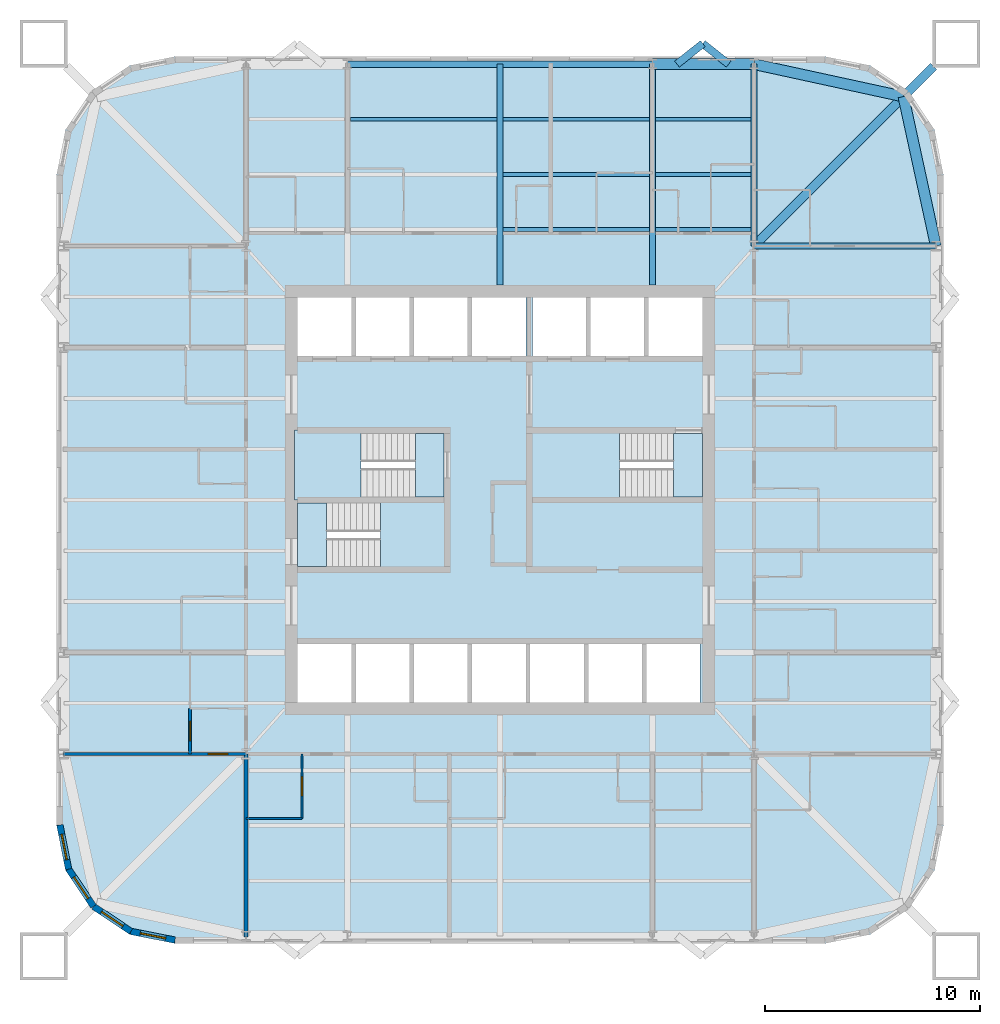
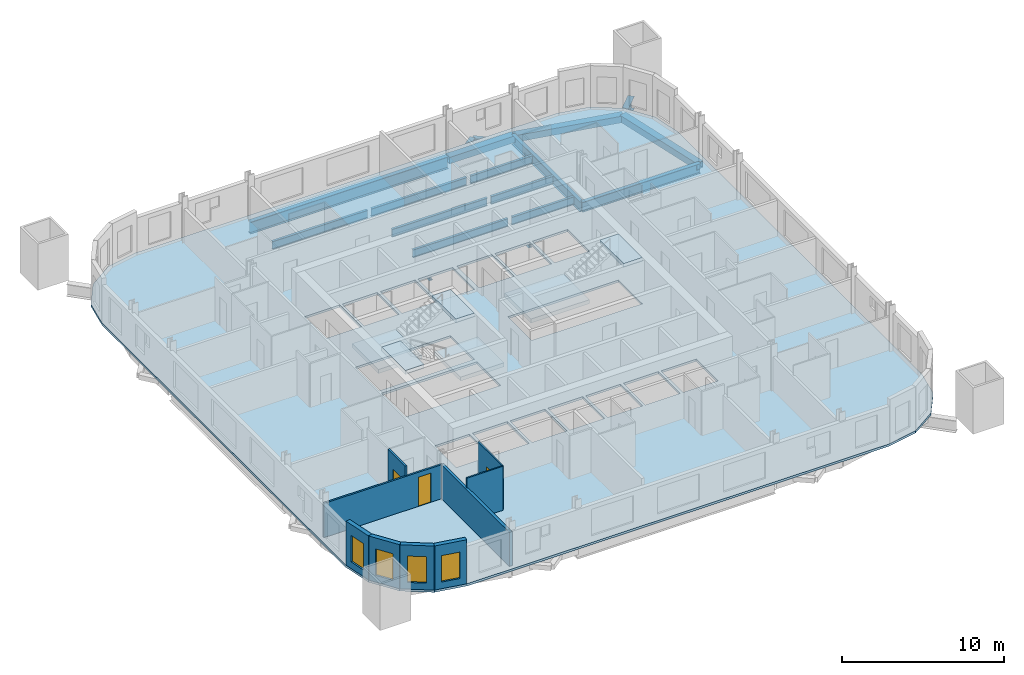
# One storey, part 2 of 9: 18 beams, 9 walls, 7 slabs, 4 windows, 3 doors, 7 openings, 3 elements without a shape of their own.
"""IFC4 building model written with IfcOpenShell, lengths in metres."""

from ifc_helpers import new_model, si_unit, direction, frame, frame_2d, origin, origin_2d, place, context, subcontext, project, spatial, polyline, rectangle, hollow_rectangle, i_section, outline, extrude, material, layer, layer_set, material_profile, profile_set, type_object, element, fill, aggregate, save


model = new_model("IFC4")

# Units and contexts
model_context = context("Model", 3, precision=1e-05, world=origin(), true_north=direction((0.0, 1.0)))
body_context = subcontext(model_context, "Body", "Model", "MODEL_VIEW")
ifc_project = project(units=[si_unit("LENGTHUNIT", "METRE"), si_unit("AREAUNIT", "SQUARE_METRE"), si_unit("VOLUMEUNIT", "CUBIC_METRE"), si_unit("PLANEANGLEUNIT", "RADIAN"), si_unit("MASSUNIT", "GRAM", prefix="KILO")], contexts=[model_context])

# Site, building, storey
site_placement = place(None, origin())
site = spatial("IfcSite", under=ifc_project, at=site_placement, CompositionType="ELEMENT")
building_placement = place(site_placement, origin())
building = spatial("IfcBuilding", under=site, at=building_placement, Name="Turquesa Mirador Hotel Tower", CompositionType="ELEMENT")
storey_placement = place(building_placement, frame((0.0, 0.0, 110.89990234375)))
storey = spatial("IfcBuildingStorey", under=building, at=storey_placement, Name="L29", CompositionType="ELEMENT", Elevation=110.89990234375)

# Beams
ifc_material_1 = material(Name="Steel ASTM A572 Grade 50", Category="steel")
ifc_material_profile_1 = material_profile(ifc_material_1, hollow_rectangle(XDim=0.5, YDim=0.5, WallThickness=0.01611328125, at=origin_2d()), Name="BOX500X500X16")
ifc_profile_set_1 = profile_set([ifc_material_profile_1], Name="Steel ASTM A572 Grade 50")
beam_type_1 = type_object("IfcBeamType", Name="BEAM BOX500X500X16", PredefinedType="BEAM", material=ifc_profile_set_1)
beam_1_placement = place(storey_placement, frame((62.080078125, 65.25, -0.419921875), z_axis=(1.0, 0.0, 0.0), x_axis=(0.0, 1.0, 0.0)))
element("IfcBeam", 1, at=beam_1_placement, inside=storey, type_object=beam_type_1, Name="EB-L29-N-R", PredefinedType="BEAM", context=body_context, shape_type="SweptSolid", body=[
    extrude(hollow_rectangle(XDim=0.5, YDim=0.5, WallThickness=0.01611328125, at=origin_2d()), origin(), (0.0, 0.0, 1.0), 4.719970703125),
])
for number, where, z_axis, x_axis, name in (
    (2, (75.25, 56.800048828125, -0.419921875), (-0.212328336885, 0.977198381781, 0.0), (-0.977198381781, -0.212328336885, 0.0), "KE-L29-1-0"),
    (3, (73.74169921875, 63.74169921875, -0.419921875), (-0.977198381781, 0.212328336885, 0.0), (-0.212328336885, -0.977198381781, 0.0), "KE-L29-1-1"),
):
    element("IfcBeam", number, at=place(storey_placement, frame(where, z_axis=z_axis, x_axis=x_axis)), inside=storey, type_object=beam_type_1, Name=name, PredefinedType="BEAM", context=body_context, shape_type="SweptSolid", body=[
        extrude(hollow_rectangle(XDim=0.5, YDim=0.5, WallThickness=0.01611328125, at=origin_2d()), origin(), (0.0, 0.0, 1.0), 7.103515625),
    ])
ifc_material_2 = material(Name="Steel ASTM A992 Grade 50", Category="steel")
ifc_material_profile_2 = material_profile(ifc_material_2, i_section(OverallWidth=0.177978515625, OverallDepth=0.599365234375, WebThickness=0.010009765625, FlangeThickness=0.012939453125, at=origin_2d()), Name="W24X55")
ifc_profile_set_2 = profile_set([ifc_material_profile_2], Name="Steel ASTM A992 Grade 50")
beam_type_2 = type_object("IfcBeamType", Name="BEAM W24X55", PredefinedType="BEAM", material=ifc_profile_set_2)
beam_2_placement = place(storey_placement, frame((55.13330078125, 57.56201171875, -0.4697265625), z_axis=(1.0, 0.0, 0.0), x_axis=(0.0, 1.0, 0.0)))
element("IfcBeam", 4, at=beam_2_placement, inside=storey, type_object=beam_type_2, Name="IB-L29-N-1-2", PredefinedType="BEAM", context=body_context, shape_type="SweptSolid", body=[
    extrude(i_section(OverallWidth=0.177978515625, OverallDepth=0.599365234375, WebThickness=0.010009765625, FlangeThickness=0.012939453125, at=origin_2d()), origin(), (0.0, 0.0, 1.0), 6.813232421875),
])
beam_3_placement = place(storey_placement, frame((62.21337890625, 57.56201171875, -0.4697265625), z_axis=(1.0, 0.0, 0.0), x_axis=(0.0, 1.0, 0.0)))
element("IfcBeam", 5, at=beam_3_placement, inside=storey, type_object=beam_type_2, Name="IB-L29-N-1-3", PredefinedType="BEAM", context=body_context, shape_type="SweptSolid", body=[
    extrude(i_section(OverallWidth=0.177978515625, OverallDepth=0.599365234375, WebThickness=0.010009765625, FlangeThickness=0.012939453125, at=origin_2d()), origin(), (0.0, 0.0, 1.0), 4.453369140625),
])
beam_4_placement = place(storey_placement, frame((55.13330078125, 60.125, -0.4697265625), z_axis=(1.0, 0.0, 0.0), x_axis=(0.0, 1.0, 0.0)))
element("IfcBeam", 6, at=beam_4_placement, inside=storey, type_object=beam_type_2, Name="IB-L29-N-2-2", PredefinedType="BEAM", context=body_context, shape_type="SweptSolid", body=[
    extrude(i_section(OverallWidth=0.177978515625, OverallDepth=0.599365234375, WebThickness=0.010009765625, FlangeThickness=0.012939453125, at=origin_2d()), origin(), (0.0, 0.0, 1.0), 6.813232421875),
])
beam_5_placement = place(storey_placement, frame((62.21337890625, 60.125, -0.4697265625), z_axis=(1.0, 0.0, 0.0), x_axis=(0.0, 1.0, 0.0)))
element("IfcBeam", 7, at=beam_5_placement, inside=storey, type_object=beam_type_2, Name="IB-L29-N-2-3", PredefinedType="BEAM", context=body_context, shape_type="SweptSolid", body=[
    extrude(i_section(OverallWidth=0.177978515625, OverallDepth=0.599365234375, WebThickness=0.010009765625, FlangeThickness=0.012939453125, at=origin_2d()), origin(), (0.0, 0.0, 1.0), 4.453369140625),
])
for number, where, z_axis, x_axis, name in (
    (8, (48.053466796875, 62.68798828125, -0.4697265625), (1.0, 0.0, 0.0), (0.0, 1.0, 0.0), "IB-L29-N-3-1"),
    (9, (55.13330078125, 62.68798828125, -0.4697265625), (1.0, 0.0, 0.0), (0.0, 1.0, 0.0), "IB-L29-N-3-2"),
):
    element("IfcBeam", number, at=place(storey_placement, frame(where, z_axis=z_axis, x_axis=x_axis)), inside=storey, type_object=beam_type_2, Name=name, PredefinedType="BEAM", context=body_context, shape_type="SweptSolid", body=[
        extrude(i_section(OverallWidth=0.177978515625, OverallDepth=0.599365234375, WebThickness=0.010009765625, FlangeThickness=0.012939453125, at=origin_2d()), origin(), (0.0, 0.0, 1.0), 6.813232421875),
    ])
beam_6_placement = place(storey_placement, frame((62.21337890625, 62.68798828125, -0.4697265625), z_axis=(1.0, 0.0, 0.0), x_axis=(0.0, 1.0, 0.0)))
element("IfcBeam", 10, at=beam_6_placement, inside=storey, type_object=beam_type_2, Name="IB-L29-N-3-3", PredefinedType="BEAM", context=body_context, shape_type="SweptSolid", body=[
    extrude(i_section(OverallWidth=0.177978515625, OverallDepth=0.599365234375, WebThickness=0.010009765625, FlangeThickness=0.012939453125, at=origin_2d()), origin(), (0.0, 0.0, 1.0), 4.453369140625),
])
ifc_material_3 = material(Name="Steel ASTM A992 Grade 50", Category="steel")
ifc_material_profile_3 = material_profile(ifc_material_3, i_section(OverallWidth=0.2666015625, OverallDepth=0.7568359375, WebThickness=0.013916015625, FlangeThickness=0.019287109375, at=origin_2d()), Name="W30X108")
ifc_profile_set_3 = profile_set([ifc_material_profile_3], Name="Steel ASTM A992 Grade 50")
beam_type_3 = type_object("IfcBeamType", Name="BEAM W30X108", PredefinedType="BEAM", material=ifc_profile_set_3)
for number, where, z_axis, x_axis, name in (
    (11, (62.080078125, 65.25, -0.54833984375), (0.0, -1.0, 0.0), (1.0, 0.0, 0.0), "GD-L29-N-+7.08"),
    (12, (55.0, 65.25, -0.54833984375), (0.0, -1.0, 0.0), (1.0, 0.0, 0.0), "GD-L29-N-+0.00"),
):
    element("IfcBeam", number, at=place(storey_placement, frame(where, z_axis=z_axis, x_axis=x_axis)), inside=storey, type_object=beam_type_3, Name=name, PredefinedType="BEAM", context=body_context, shape_type="SweptSolid", body=[
        extrude(i_section(OverallWidth=0.2666015625, OverallDepth=0.7568359375, WebThickness=0.013916015625, FlangeThickness=0.019287109375, at=origin_2d()), origin(), (0.0, 0.0, 1.0), 10.25),
    ])
for number, where, z_axis, x_axis, name in (
    (13, (66.800048828125, 65.25, -0.54833984375), (0.0, -1.0, 0.0), (1.0, 0.0, 0.0), "GK-L29-N-+11.80"),
    (14, (75.25, 56.800048828125, -0.54833984375), (-1.0, 0.0, 0.0), (0.0, -1.0, 0.0), "GK-L29-E-+11.80"),
):
    element("IfcBeam", number, at=place(storey_placement, frame(where, z_axis=z_axis, x_axis=x_axis)), inside=storey, type_object=beam_type_3, Name=name, PredefinedType="BEAM", context=body_context, shape_type="SweptSolid", body=[
        extrude(i_section(OverallWidth=0.2666015625, OverallDepth=0.7568359375, WebThickness=0.013916015625, FlangeThickness=0.019287109375, at=origin_2d()), origin(), (0.0, 0.0, 1.0), 8.449951171875),
    ])
ifc_material_4 = material(Name="Steel ASTM A992 Grade 50", Category="steel")
ifc_material_profile_4 = material_profile(ifc_material_4, i_section(OverallWidth=0.3046875, OverallDepth=0.911865234375, WebThickness=0.015869140625, FlangeThickness=0.02392578125, at=origin_2d()), Name="W36X150")
ifc_profile_set_4 = profile_set([ifc_material_profile_4], Name="Steel ASTM A992 Grade 50")
beam_type_4 = type_object("IfcBeamType", Name="BEAM W36X150", PredefinedType="BEAM", material=ifc_profile_set_4)
beam_7_placement = place(storey_placement, frame((47.919921875, 65.25, -0.625732421875), z_axis=(1.0, 0.0, 0.0), x_axis=(0.0, 1.0, 0.0)))
element("IfcBeam", 15, at=beam_7_placement, inside=storey, type_object=beam_type_4, Name="EB-L29-N-C", PredefinedType="BEAM", context=body_context, shape_type="SweptSolid", body=[
    extrude(i_section(OverallWidth=0.3046875, OverallDepth=0.911865234375, WebThickness=0.015869140625, FlangeThickness=0.02392578125, at=origin_2d()), origin(), (0.0, 0.0, 1.0), 14.16015625),
])
ifc_material_5 = material(Name="Steel ASTM A992 Grade 50", Category="steel")
ifc_material_profile_5 = material_profile(ifc_material_5, i_section(OverallWidth=0.419189453125, OverallDepth=0.927001953125, WebThickness=0.019287109375, FlangeThickness=0.031982421875, at=origin_2d()), Name="W36X231")
ifc_profile_set_5 = profile_set([ifc_material_profile_5], Name="Steel ASTM A992 Grade 50")
beam_type_5 = type_object("IfcBeamType", Name="BEAM W36X231", PredefinedType="BEAM", material=ifc_profile_set_5)
beam_8_placement = place(storey_placement, frame((66.800048828125, 56.800048828125, -0.633544921875), z_axis=(0.707106781187, 0.707106781187, 0.0), x_axis=(-0.707106781187, 0.707106781187, 0.0)))
element("IfcBeam", 16, at=beam_8_placement, inside=storey, type_object=beam_type_5, Name="KD-L29-1", PredefinedType="BEAM", context=body_context, shape_type="SweptSolid", body=[
    extrude(i_section(OverallWidth=0.419189453125, OverallDepth=0.927001953125, WebThickness=0.019287109375, FlangeThickness=0.031982421875, at=origin_2d()), origin(), (0.0, 0.0, 1.0), 11.80859375),
])
ifc_material_6 = material(Name="Steel ASTM A500 Grade C", Category="steel")
ifc_material_profile_6 = material_profile(ifc_material_6, hollow_rectangle(XDim=0.355712890625, YDim=0.355712890625, WallThickness=0.0146484375, at=origin_2d()), Name="HSS14X14X5/8")
ifc_profile_set_6 = profile_set([ifc_material_profile_6], Name="Steel ASTM A500 Grade C")
beam_type_6 = type_object("IfcBeamType", Name="BRACE STRUT HSS14X14X5/8", PredefinedType="BEAM", material=ifc_profile_set_6)
beam_9_placement = place(storey_placement, frame((64.422119140625, 66.199951171875, -0.34765625), z_axis=(-0.784049059149, -0.620698858423, 0.0), x_axis=(0.620698858423, -0.784049059149, 0.0)))
element("IfcBeam", 17, at=beam_9_placement, inside=storey, type_object=beam_type_6, Name="Brace strut", PredefinedType="BEAM", context=body_context, shape_type="SweptSolid", body=[
    extrude(hollow_rectangle(XDim=0.355712890625, YDim=0.355712890625, WallThickness=0.0146484375, at=origin_2d()), origin(), (0.0, 0.0, 1.0), 1.530517578125),
])
beam_10_placement = place(storey_placement, frame((64.422119140625, 66.199951171875, -0.34765625), z_axis=(0.784110506071, -0.620621232531, 0.0), x_axis=(0.620621232531, 0.784110506071, 0.0)))
element("IfcBeam", 18, at=beam_10_placement, inside=storey, type_object=beam_type_6, Name="Brace strut", PredefinedType="BEAM", context=body_context, shape_type="SweptSolid", body=[
    extrude(hollow_rectangle(XDim=0.355712890625, YDim=0.355712890625, WallThickness=0.0146484375, at=origin_2d()), origin(), (0.0, 0.0, 1.0), 1.53076171875),
])

# Slab
ifc_material_7 = material(Name="Concrete C28/35", Category="concrete")
ifc_layer_1 = layer(ifc_material_7, 0.169921875)
ifc_layer_set_1 = layer_set([ifc_layer_1], Name="COMPOSITE FLOOR SLAB 170")
slab_type_1 = type_object("IfcSlabType", Name="COMPOSITE FLOOR SLAB 170", PredefinedType="FLOOR", material=ifc_layer_set_1)
slab_1_placement = place(storey_placement, frame((0.0, 0.0, -0.169921875)))
element("IfcSlab", 19, at=slab_1_placement, inside=storey, type_object=slab_type_1, Name="Floor slab L29", PredefinedType="FLOOR", context=body_context, shape_type="SweptSolid", body=[
    extrude(outline(polyline([(70.10009765625, 24.39990234375), (72.204833984375, 24.818603515625), (73.989013671875, 26.010986328125), (75.181396484375, 27.795166015625), (75.60009765625, 29.89990234375), (75.60009765625, 60.10009765625), (75.181396484375, 62.204833984375), (73.989013671875, 63.989013671875), (72.204833984375, 65.181396484375), (70.10009765625, 65.60009765625), (39.89990234375, 65.60009765625), (37.795166015625, 65.181396484375), (36.010986328125, 63.989013671875), (34.818603515625, 62.204833984375), (34.39990234375, 60.10009765625), (34.39990234375, 29.89990234375), (34.818603515625, 27.795166015625), (36.010986328125, 26.010986328125), (37.795166015625, 24.818603515625), (39.89990234375, 24.39990234375), (70.10009765625, 24.39990234375)]), holes=[polyline([(45.60009765625, 51.699951171875), (48.10009765625, 51.699951171875), (48.10009765625, 54.39990234375), (45.60009765625, 54.39990234375), (45.60009765625, 51.699951171875)]), polyline([(48.300048828125, 51.699951171875), (50.800048828125, 51.699951171875), (50.800048828125, 54.39990234375), (48.300048828125, 54.39990234375), (48.300048828125, 51.699951171875)]), polyline([(51.0, 51.699951171875), (53.5, 51.699951171875), (53.5, 54.39990234375), (51.0, 54.39990234375), (51.0, 51.699951171875)]), polyline([(53.699951171875, 51.699951171875), (56.199951171875, 51.699951171875), (56.199951171875, 54.39990234375), (53.699951171875, 54.39990234375), (53.699951171875, 51.699951171875)]), polyline([(56.5, 51.699951171875), (59.0, 51.699951171875), (59.0, 54.39990234375), (56.5, 54.39990234375), (56.5, 51.699951171875)]), polyline([(59.199951171875, 51.699951171875), (61.699951171875, 51.699951171875), (61.699951171875, 54.39990234375), (59.199951171875, 54.39990234375), (59.199951171875, 51.699951171875)]), polyline([(45.60009765625, 35.60009765625), (48.10009765625, 35.60009765625), (48.10009765625, 38.300048828125), (45.60009765625, 38.300048828125), (45.60009765625, 35.60009765625)]), polyline([(48.300048828125, 35.60009765625), (50.800048828125, 35.60009765625), (50.800048828125, 38.300048828125), (48.300048828125, 38.300048828125), (48.300048828125, 35.60009765625)]), polyline([(51.0, 35.60009765625), (53.5, 35.60009765625), (53.5, 38.300048828125), (51.0, 38.300048828125), (51.0, 35.60009765625)]), polyline([(53.699951171875, 35.60009765625), (56.199951171875, 35.60009765625), (56.199951171875, 38.300048828125), (53.699951171875, 38.300048828125), (53.699951171875, 35.60009765625)]), polyline([(56.39990234375, 35.60009765625), (58.89990234375, 35.60009765625), (58.89990234375, 38.300048828125), (56.39990234375, 38.300048828125), (56.39990234375, 35.60009765625)]), polyline([(59.10009765625, 35.60009765625), (61.60009765625, 35.60009765625), (61.60009765625, 38.300048828125), (59.10009765625, 38.300048828125), (59.10009765625, 35.60009765625)]), polyline([(61.800048828125, 35.60009765625), (64.300048828125, 35.60009765625), (64.300048828125, 38.300048828125), (61.800048828125, 38.300048828125), (61.800048828125, 35.60009765625)]), polyline([(45.60009765625, 45.14990234375), (52.39990234375, 45.14990234375), (52.39990234375, 48.10009765625), (45.60009765625, 48.10009765625), (45.60009765625, 45.14990234375)]), polyline([(45.60009765625, 41.89990234375), (52.39990234375, 41.89990234375), (52.39990234375, 44.85009765625), (45.60009765625, 44.85009765625), (45.60009765625, 41.89990234375)]), polyline([(56.5, 45.14990234375), (64.39990234375, 45.14990234375), (64.39990234375, 48.10009765625), (56.5, 48.10009765625), (56.5, 45.14990234375)]), polyline([(61.89990234375, 51.699951171875), (64.39990234375, 51.699951171875), (64.39990234375, 54.39990234375), (61.89990234375, 54.39990234375), (61.89990234375, 51.699951171875)])]), origin(), (0.0, 0.0, 1.0), 0.169921875),
])

# Stair, slabs
ifc_material_8 = material(Name="Concrete C35/45", Category="concrete")
stair_type = type_object("IfcStairType", Name="ESCAPE STAIR CORE", PredefinedType="HALF_TURN_STAIR", material=ifc_material_8)
stair_1_placement = place(storey_placement, origin())
stair_1 = element("IfcStair", 20, at=stair_1_placement, inside=storey, type_object=stair_type, Name="Stair ST1 L29 to L30", PredefinedType="HALF_TURN_STAIR")
ifc_material_9 = material(Name="Concrete C35/45", Category="concrete")
ifc_layer_2 = layer(ifc_material_9, 0.300048828125)
ifc_layer_set_2 = layer_set([ifc_layer_2], Name="STAIR LANDING 300")
slab_type_2 = type_object("IfcSlabType", Name="STAIR LANDING 300", PredefinedType="LANDING", material=ifc_layer_set_2)
slab_2_placement = place(storey_placement, frame((0.0, 0.0, 1.4501953125)))
slab_2 = element("IfcSlab", 21, at=slab_2_placement, type_object=slab_type_2, Name="ST1 landing 1", PredefinedType="LANDING", context=body_context, shape_type="SweptSolid", body=[
    extrude(outline(polyline([(45.449951171875, 45.0), (48.550048828125, 45.0), (48.550048828125, 48.25), (45.449951171875, 48.25), (45.449951171875, 45.0)])), origin(), (0.0, 0.0, 1.0), 0.2998046875),
])
slab_3_placement = place(storey_placement, frame((0.0, 0.0, 3.2001953125)))
slab_3 = element("IfcSlab", 22, at=slab_3_placement, type_object=slab_type_2, Name="ST1 landing 2", PredefinedType="LANDING", context=body_context, shape_type="SweptSolid", body=[
    extrude(outline(polyline([(51.070068359375, 45.14990234375), (52.39990234375, 45.14990234375), (52.39990234375, 48.10009765625), (51.070068359375, 48.10009765625), (51.070068359375, 45.14990234375)])), origin(), (0.0, 0.0, 1.0), 0.2998046875),
])
aggregate(stair_1, [slab_2, slab_3])

stair_2_placement = place(storey_placement, origin())
stair_2 = element("IfcStair", 23, at=stair_2_placement, inside=storey, type_object=stair_type, Name="Stair ST2 L29 to L30", PredefinedType="HALF_TURN_STAIR")
slab_4_placement = place(storey_placement, frame((0.0, 0.0, 1.4501953125)))
slab_4 = element("IfcSlab", 24, at=slab_4_placement, type_object=slab_type_2, Name="ST2 landing 1", PredefinedType="LANDING", context=body_context, shape_type="SweptSolid", body=[
    extrude(outline(polyline([(52.550048828125, 45.0), (49.449951171875, 45.0), (49.449951171875, 41.75), (52.550048828125, 41.75), (52.550048828125, 45.0)])), origin(), (0.0, 0.0, 1.0), 0.2998046875),
])
slab_5_placement = place(storey_placement, frame((0.0, 0.0, 3.2001953125)))
slab_5 = element("IfcSlab", 25, at=slab_5_placement, type_object=slab_type_2, Name="ST2 landing 2", PredefinedType="LANDING", context=body_context, shape_type="SweptSolid", body=[
    extrude(outline(polyline([(46.929931640625, 44.85009765625), (45.60009765625, 44.85009765625), (45.60009765625, 41.89990234375), (46.929931640625, 41.89990234375), (46.929931640625, 44.85009765625)])), origin(), (0.0, 0.0, 1.0), 0.2998046875),
])
aggregate(stair_2, [slab_4, slab_5])

stair_3_placement = place(storey_placement, origin())
stair_3 = element("IfcStair", 26, at=stair_3_placement, inside=storey, type_object=stair_type, Name="Stair ST3 L29 to L30", PredefinedType="HALF_TURN_STAIR")
slab_6_placement = place(storey_placement, frame((0.0, 0.0, 1.4501953125)))
slab_6 = element("IfcSlab", 27, at=slab_6_placement, type_object=slab_type_2, Name="ST3 landing 1", PredefinedType="LANDING", context=body_context, shape_type="SweptSolid", body=[
    extrude(outline(polyline([(56.35009765625, 45.0), (60.550048828125, 45.0), (60.550048828125, 48.25), (56.35009765625, 48.25), (56.35009765625, 45.0)])), origin(), (0.0, 0.0, 1.0), 0.2998046875),
])
slab_7_placement = place(storey_placement, frame((0.0, 0.0, 3.2001953125)))
slab_7 = element("IfcSlab", 28, at=slab_7_placement, type_object=slab_type_2, Name="ST3 landing 2", PredefinedType="LANDING", context=body_context, shape_type="SweptSolid", body=[
    extrude(outline(polyline([(63.070068359375, 45.14990234375), (64.39990234375, 45.14990234375), (64.39990234375, 48.10009765625), (63.070068359375, 48.10009765625), (63.070068359375, 45.14990234375)])), origin(), (0.0, 0.0, 1.0), 0.2998046875),
])
aggregate(stair_3, [slab_6, slab_7])

# Wall
ifc_material_10 = material(Name="Gypsum board on steel studs", Category="steel")
ifc_layer_3 = layer(ifc_material_10, 0.10009765625)
ifc_layer_set_3 = layer_set([ifc_layer_3], Name="BATHROOM WALL 100")
wall_type_1 = type_object("IfcWallType", Name="BATHROOM WALL 100", PredefinedType="PARTITIONING", material=ifc_layer_set_3)
wall_1_placement = place(storey_placement, frame((43.199951171875, 30.199951171875, 0.0), z_axis=(0.0, 0.0, 1.0), x_axis=(1.0, 0.0, 0.0)))
element("IfcWall", 29, at=wall_1_placement, inside=storey, type_object=wall_type_1, Name="Partition L29 009", PredefinedType="PARTITIONING", context=body_context, shape_type="SweptSolid", body=[
    extrude(rectangle(XDim=2.60009765625, YDim=0.10009765625, at=frame_2d((1.300048828125, 0.0))), origin(), (0.0, 0.0, 1.0), 3.330078125),
])

# Wall, opening, door
wall_2_placement = place(storey_placement, frame((45.800048828125, 30.199951171875, 0.0), z_axis=(0.0, 0.0, 1.0), x_axis=(0.0, 1.0, 0.0)))
wall_2 = element("IfcWall", 30, at=wall_2_placement, inside=storey, type_object=wall_type_1, Name="Partition L29 056", PredefinedType="PARTITIONING", context=body_context, shape_type="SweptSolid", body=[
    extrude(rectangle(XDim=3.0, YDim=0.10009765625, at=frame_2d((1.5, 0.0))), origin(), (0.0, 0.0, 1.0), 3.330078125),
])
opening_1_placement = place(wall_2_placement, frame((1.050048828125, 0.0, 0.0)))
opening_1 = element("IfcOpeningElement", 31, at=opening_1_placement, cuts=wall_2, Name="Opening D02", PredefinedType="OPENING", context=body_context, shape_type="SweptSolid", body=[
    extrude(rectangle(XDim=0.89990234375, YDim=2.10009765625, at=frame_2d((0.449951171875, 1.050048828125))), frame((0.0, 0.06005859375, 0.0), z_axis=(0.0, -1.0, 0.0), x_axis=(1.0, 0.0, 0.0)), (0.0, 0.0, 1.0), 0.1201171875),
])
ifc_material_11 = material(Name="Timber veneered door", Category="wood")
door_type_1 = type_object("IfcDoorType", Name="DOOR 900X2100 EN-SUITE", OperationType="SINGLE_SWING_RIGHT", PredefinedType="DOOR", material=ifc_material_11)
door_1_placement = place(opening_1_placement, origin())
door_1 = element("IfcDoor", 32, at=door_1_placement, inside=storey, type_object=door_type_1, Name="Door 2905B", OperationType="SINGLE_SWING_RIGHT", OverallHeight=2.10009765625, OverallWidth=0.89990234375, PredefinedType="DOOR", context=body_context, shape_type="SweptSolid", body=[
    extrude(rectangle(XDim=0.89990234375, YDim=2.10009765625, at=frame_2d((0.449951171875, 1.050048828125))), frame((0.0, 0.02490234375, 0.0), z_axis=(0.0, -1.0, 0.0), x_axis=(1.0, 0.0, 0.0)), (0.0, 0.0, 1.0), 0.050048828125),
])
fill(opening_1, door_1)

# Wall, opening, window
ifc_material_12 = material(Name="Limestone cladding on concrete block", Category="masonry")
ifc_layer_4 = layer(ifc_material_12, 0.300048828125)
ifc_layer_set_4 = layer_set([ifc_layer_4], Name="FACADE WALL 300 STONE SCREEN")
wall_type_2 = type_object("IfcWallType", Name="FACADE WALL 300 STONE SCREEN", PredefinedType="SOLIDWALL", material=ifc_layer_set_4)
wall_3_placement = place(storey_placement, frame((34.550048828125, 29.89990234375, 0.0), z_axis=(0.0, 0.0, 1.0), x_axis=(0.195081421501, -0.980787050784, 0.0)))
wall_3 = element("IfcWall", 33, at=wall_3_placement, inside=storey, type_object=wall_type_2, Name="Facade wall L29 15", PredefinedType="SOLIDWALL", context=body_context, shape_type="SweptSolid", body=[
    extrude(rectangle(XDim=2.08740234375, YDim=0.300048828125, at=frame_2d((1.043701171875, 0.0))), origin(), (0.0, 0.0, 1.0), 3.330078125),
])
opening_2_placement = place(wall_3_placement, frame((0.443603515625, 0.0, 0.5)))
opening_2 = element("IfcOpeningElement", 34, at=opening_2_placement, cuts=wall_3, Name="Opening WN4", PredefinedType="OPENING", context=body_context, shape_type="SweptSolid", body=[
    extrude(rectangle(XDim=1.199951171875, YDim=2.0, at=frame_2d((0.60009765625, 1.0))), frame((0.0, 0.159912109375, 0.0), z_axis=(0.0, -1.0, 0.0), x_axis=(1.0, 0.0, 0.0)), (0.0, 0.0, 1.0), 0.320068359375),
])
ifc_material_13 = material(Name="Ceramic-fritted laminated glass", Category="glass")
window_type = type_object("IfcWindowType", Name="FRITTED CORNER WINDOW 1200X2000", PartitioningType="DOUBLE_PANEL_HORIZONTAL", PredefinedType="WINDOW", material=ifc_material_13)
window_1_placement = place(opening_2_placement, origin())
window_1 = element("IfcWindow", 35, at=window_1_placement, inside=storey, type_object=window_type, Name="Window L29", OverallHeight=2.0, OverallWidth=1.199951171875, PartitioningType="SINGLE_PANEL", PredefinedType="WINDOW", context=body_context, shape_type="SweptSolid", body=[
    extrude(rectangle(XDim=1.199951171875, YDim=2.0, at=frame_2d((0.60009765625, 1.0))), frame((0.0, 0.030029296875, 0.0), z_axis=(0.0, -1.0, 0.0), x_axis=(1.0, 0.0, 0.0)), (0.0, 0.0, 1.0), 0.06005859375),
])
fill(opening_2, window_1)

wall_4_placement = place(storey_placement, frame((34.957275390625, 27.8525390625, 0.0), z_axis=(0.0, 0.0, 1.0), x_axis=(0.555563607591, -0.831474039234, 0.0)))
wall_4 = element("IfcWall", 36, at=wall_4_placement, inside=storey, type_object=wall_type_2, Name="Facade wall L29 16", PredefinedType="SOLIDWALL", context=body_context, shape_type="SweptSolid", body=[
    extrude(rectangle(XDim=2.08740234375, YDim=0.300048828125, at=frame_2d((1.043701171875, 0.0))), origin(), (0.0, 0.0, 1.0), 3.330078125),
])
opening_3_placement = place(wall_4_placement, frame((0.443603515625, 0.0, 0.5)))
opening_3 = element("IfcOpeningElement", 37, at=opening_3_placement, cuts=wall_4, Name="Opening WN4", PredefinedType="OPENING", context=body_context, shape_type="SweptSolid", body=[
    extrude(rectangle(XDim=1.199951171875, YDim=2.0, at=frame_2d((0.60009765625, 1.0))), frame((0.0, 0.159912109375, 0.0), z_axis=(0.0, -1.0, 0.0), x_axis=(1.0, 0.0, 0.0)), (0.0, 0.0, 1.0), 0.320068359375),
])
window_2_placement = place(opening_3_placement, origin())
window_2 = element("IfcWindow", 38, at=window_2_placement, inside=storey, type_object=window_type, Name="Window L29", OverallHeight=2.0, OverallWidth=1.199951171875, PartitioningType="SINGLE_PANEL", PredefinedType="WINDOW", context=body_context, shape_type="SweptSolid", body=[
    extrude(rectangle(XDim=1.199951171875, YDim=2.0, at=frame_2d((0.60009765625, 1.0))), frame((0.0, 0.030029296875, 0.0), z_axis=(0.0, -1.0, 0.0), x_axis=(1.0, 0.0, 0.0)), (0.0, 0.0, 1.0), 0.06005859375),
])
fill(opening_3, window_2)

wall_5_placement = place(storey_placement, frame((36.116943359375, 26.116943359375, 0.0), z_axis=(0.0, 0.0, 1.0), x_axis=(0.831474039234, -0.555563607591, 0.0)))
wall_5 = element("IfcWall", 39, at=wall_5_placement, inside=storey, type_object=wall_type_2, Name="Facade wall L29 17", PredefinedType="SOLIDWALL", context=body_context, shape_type="SweptSolid", body=[
    extrude(rectangle(XDim=2.08740234375, YDim=0.300048828125, at=frame_2d((1.043701171875, 0.0))), origin(), (0.0, 0.0, 1.0), 3.330078125),
])
opening_4_placement = place(wall_5_placement, frame((0.443603515625, 0.0, 0.5)))
opening_4 = element("IfcOpeningElement", 40, at=opening_4_placement, cuts=wall_5, Name="Opening WN4", PredefinedType="OPENING", context=body_context, shape_type="SweptSolid", body=[
    extrude(rectangle(XDim=1.199951171875, YDim=2.0, at=frame_2d((0.60009765625, 1.0))), frame((0.0, 0.159912109375, 0.0), z_axis=(0.0, -1.0, 0.0), x_axis=(1.0, 0.0, 0.0)), (0.0, 0.0, 1.0), 0.320068359375),
])
window_3_placement = place(opening_4_placement, origin())
window_3 = element("IfcWindow", 41, at=window_3_placement, inside=storey, type_object=window_type, Name="Window L29", OverallHeight=2.0, OverallWidth=1.199951171875, PartitioningType="SINGLE_PANEL", PredefinedType="WINDOW", context=body_context, shape_type="SweptSolid", body=[
    extrude(rectangle(XDim=1.199951171875, YDim=2.0, at=frame_2d((0.60009765625, 1.0))), frame((0.0, 0.030029296875, 0.0), z_axis=(0.0, -1.0, 0.0), x_axis=(1.0, 0.0, 0.0)), (0.0, 0.0, 1.0), 0.06005859375),
])
fill(opening_4, window_3)

wall_6_placement = place(storey_placement, frame((37.8525390625, 24.957275390625, 0.0), z_axis=(0.0, 0.0, 1.0), x_axis=(0.980787050784, -0.195081421501, 0.0)))
wall_6 = element("IfcWall", 42, at=wall_6_placement, inside=storey, type_object=wall_type_2, Name="Facade wall L29 18", PredefinedType="SOLIDWALL", context=body_context, shape_type="SweptSolid", body=[
    extrude(rectangle(XDim=2.08740234375, YDim=0.300048828125, at=frame_2d((1.043701171875, 0.0))), origin(), (0.0, 0.0, 1.0), 3.330078125),
])
opening_5_placement = place(wall_6_placement, frame((0.443603515625, 0.0, 0.5)))
opening_5 = element("IfcOpeningElement", 43, at=opening_5_placement, cuts=wall_6, Name="Opening WN4", PredefinedType="OPENING", context=body_context, shape_type="SweptSolid", body=[
    extrude(rectangle(XDim=1.199951171875, YDim=2.0, at=frame_2d((0.60009765625, 1.0))), frame((0.0, 0.159912109375, 0.0), z_axis=(0.0, -1.0, 0.0), x_axis=(1.0, 0.0, 0.0)), (0.0, 0.0, 1.0), 0.320068359375),
])
window_4_placement = place(opening_5_placement, origin())
window_4 = element("IfcWindow", 44, at=window_4_placement, inside=storey, type_object=window_type, Name="Window L29", OverallHeight=2.0, OverallWidth=1.199951171875, PartitioningType="SINGLE_PANEL", PredefinedType="WINDOW", context=body_context, shape_type="SweptSolid", body=[
    extrude(rectangle(XDim=1.199951171875, YDim=2.0, at=frame_2d((0.60009765625, 1.0))), frame((0.0, 0.030029296875, 0.0), z_axis=(0.0, -1.0, 0.0), x_axis=(1.0, 0.0, 0.0)), (0.0, 0.0, 1.0), 0.06005859375),
])
fill(opening_5, window_4)

# Wall
ifc_material_14 = material(Name="Fire-rated gypsum board on steel studs", Category="steel")
ifc_layer_5 = layer(ifc_material_14, 0.199951171875)
ifc_layer_set_5 = layer_set([ifc_layer_5], Name="PARTY WALL 200")
wall_type_3 = type_object("IfcWallType", Name="PARTY WALL 200", PredefinedType="PARTITIONING", material=ifc_layer_set_5)
wall_7_placement = place(storey_placement, frame((43.199951171875, 24.699951171875, 0.0), z_axis=(0.0, 0.0, 1.0), x_axis=(0.0, 1.0, 0.0)))
element("IfcWall", 45, at=wall_7_placement, inside=storey, type_object=wall_type_3, Name="Partition L29 043", PredefinedType="PARTITIONING", context=body_context, shape_type="SweptSolid", body=[
    extrude(rectangle(XDim=8.5, YDim=0.199951171875, at=frame_2d((4.25, 0.0))), origin(), (0.0, 0.0, 1.0), 2.5732421875),
])

# Wall, opening, door
ifc_material_15 = material(Name="Acoustic gypsum board on steel studs", Category="steel")
ifc_layer_6 = layer(ifc_material_15, 0.125)
ifc_layer_set_6 = layer_set([ifc_layer_6], Name="SUITE PARTITION 125")
wall_type_4 = type_object("IfcWallType", Name="SUITE PARTITION 125", PredefinedType="PARTITIONING", material=ifc_layer_set_6)
wall_8_placement = place(storey_placement, frame((34.699951171875, 33.199951171875, 0.0), z_axis=(0.0, 0.0, 1.0), x_axis=(1.0, 0.0, 0.0)))
wall_8 = element("IfcWall", 46, at=wall_8_placement, inside=storey, type_object=wall_type_4, Name="Partition L29 003", PredefinedType="PARTITIONING", context=body_context, shape_type="SweptSolid", body=[
    extrude(rectangle(XDim=8.5, YDim=0.125, at=frame_2d((4.25, 0.0))), origin(), (0.0, 0.0, 1.0), 2.5732421875),
])
opening_6_placement = place(wall_8_placement, frame((6.75, 0.0, 0.0)))
opening_6 = element("IfcOpeningElement", 47, at=opening_6_placement, cuts=wall_8, Name="Opening D17", PredefinedType="OPENING", context=body_context, shape_type="SweptSolid", body=[
    extrude(rectangle(XDim=0.89990234375, YDim=2.199951171875, at=frame_2d((0.449951171875, 1.10009765625))), frame((0.0, 0.072509765625, 0.0), z_axis=(0.0, -1.0, 0.0), x_axis=(1.0, 0.0, 0.0)), (0.0, 0.0, 1.0), 0.14501953125),
])
ifc_material_16 = material(Name="Timber veneered door", Category="wood")
door_type_2 = type_object("IfcDoorType", Name="DOOR 900X2200 SUITE INTERNAL", OperationType="SINGLE_SWING_LEFT", PredefinedType="DOOR", material=ifc_material_16)
door_2_placement = place(opening_6_placement, origin())
door_2 = element("IfcDoor", 48, at=door_2_placement, inside=storey, type_object=door_type_2, Name="Door 2915", OperationType="SINGLE_SWING_LEFT", OverallHeight=2.199951171875, OverallWidth=0.89990234375, PredefinedType="DOOR", context=body_context, shape_type="SweptSolid", body=[
    extrude(rectangle(XDim=0.89990234375, YDim=2.199951171875, at=frame_2d((0.449951171875, 1.10009765625))), frame((0.0, 0.02490234375, 0.0), z_axis=(0.0, -1.0, 0.0), x_axis=(1.0, 0.0, 0.0)), (0.0, 0.0, 1.0), 0.050048828125),
])
fill(opening_6, door_2)

wall_9_placement = place(storey_placement, frame((40.60009765625, 33.199951171875, 0.0), z_axis=(0.0, 0.0, 1.0), x_axis=(0.0, 1.0, 0.0)))
wall_9 = element("IfcWall", 49, at=wall_9_placement, inside=storey, type_object=wall_type_4, Name="Partition L29 048", PredefinedType="PARTITIONING", context=body_context, shape_type="SweptSolid", body=[
    extrude(rectangle(XDim=2.1201171875, YDim=0.125, at=frame_2d((1.06005859375, 0.0))), origin(), (0.0, 0.0, 1.0), 3.330078125),
])
opening_7_placement = place(wall_9_placement, frame((0.610107421875, 0.0, 0.0)))
opening_7 = element("IfcOpeningElement", 50, at=opening_7_placement, cuts=wall_9, Name="Opening D17", PredefinedType="OPENING", context=body_context, shape_type="SweptSolid", body=[
    extrude(rectangle(XDim=0.89990234375, YDim=2.199951171875, at=frame_2d((0.449951171875, 1.10009765625))), frame((0.0, 0.072509765625, 0.0), z_axis=(0.0, -1.0, 0.0), x_axis=(1.0, 0.0, 0.0)), (0.0, 0.0, 1.0), 0.14501953125),
])
door_3_placement = place(opening_7_placement, origin())
door_3 = element("IfcDoor", 51, at=door_3_placement, inside=storey, type_object=door_type_2, Name="Door 2915R", OperationType="SINGLE_SWING_LEFT", OverallHeight=2.199951171875, OverallWidth=0.89990234375, PredefinedType="DOOR", context=body_context, shape_type="SweptSolid", body=[
    extrude(rectangle(XDim=0.89990234375, YDim=2.199951171875, at=frame_2d((0.449951171875, 1.10009765625))), frame((0.0, 0.02490234375, 0.0), z_axis=(0.0, -1.0, 0.0), x_axis=(1.0, 0.0, 0.0)), (0.0, 0.0, 1.0), 0.050048828125),
])
fill(opening_7, door_3)

save(model, "model.ifc")
